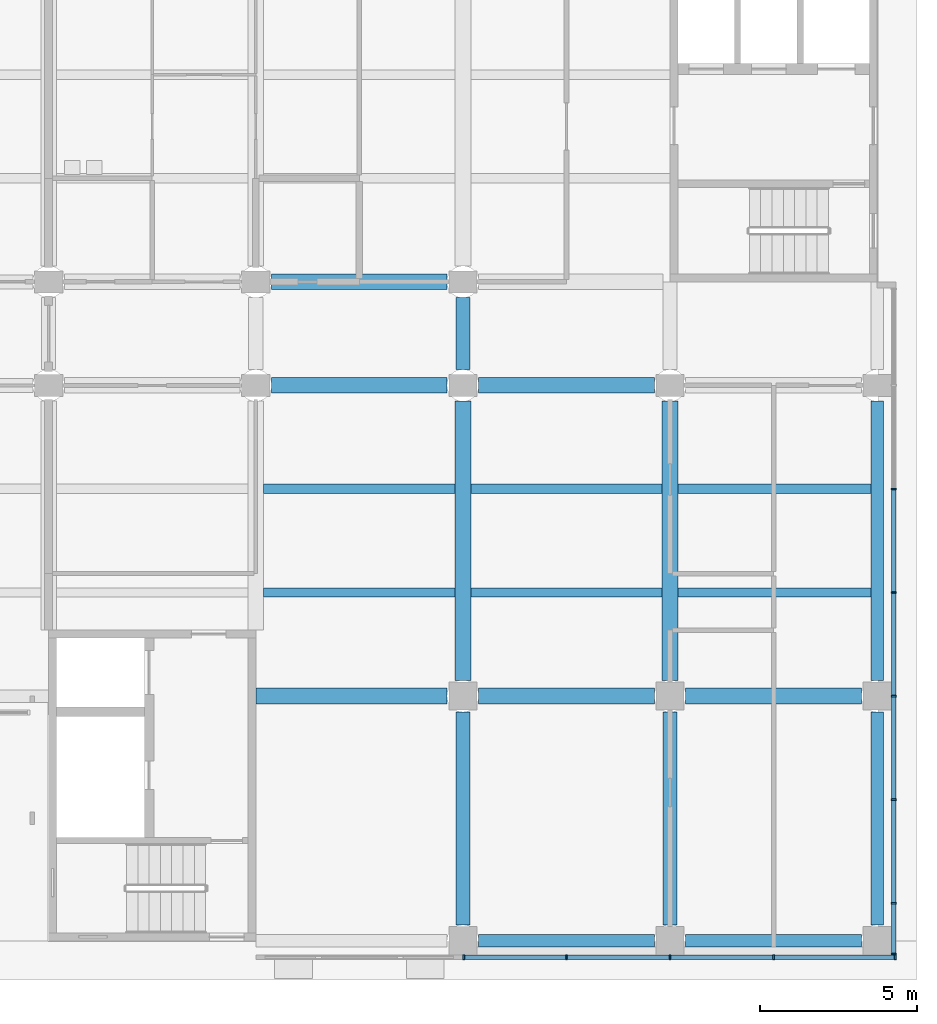
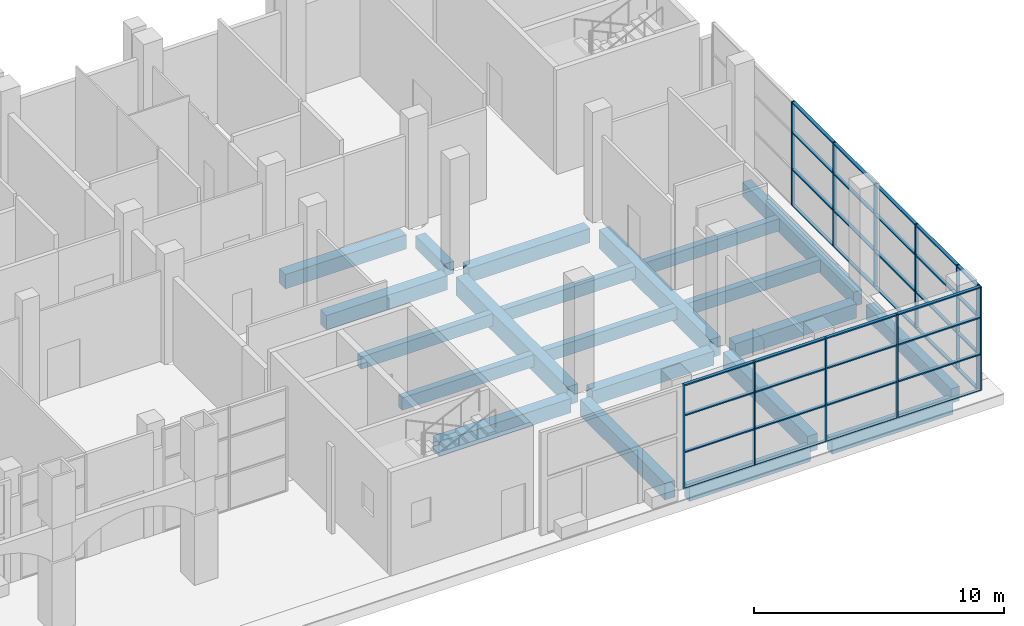
# One storey, part 10 of 85: 47 members, 21 beams, 2 elements without a shape of their own.
"""IFC4 building model written with IfcOpenShell, lengths in metres."""

import ifcopenshell
import ifcopenshell.guid

model = None  # the IFC model being written
_history = None  # IfcOwnerHistory: only IFC2X3 demands one
_inside = {}  # id of a spatial element -> (the spatial element, [elements in it])
_under = {}  # id of a project, library or spatial element -> (it, [spatial elements below it])
_declared = {}  # id of a project -> (the project, [libraries it declares])
_typed = {}  # id of a type object -> (the type object, [elements of that type])
_made_of = {}  # id of a material, layer set ... -> (it, [elements and type objects made of it])


def new_model(schema):
    """Start an empty IFC model of exactly this schema.

    Asked for "IFC4X3", IfcOpenShell would pick the latest addendum, in which some entities
    have other attributes; the version numbers below select the first issue.
    IFC2X3 requires an IfcOwnerHistory on every rooted entity: one is made here for all.
    """
    global model, _history
    if schema == "IFC4X3":
        model = ifcopenshell.file(schema_version=(4, 3, 0, 0))
    else:
        model = ifcopenshell.file(schema=schema)
    _inside.clear()
    _under.clear()
    _declared.clear()
    _typed.clear()
    _made_of.clear()
    _history = None
    if model.schema == "IFC2X3":
        org = make("IfcOrganization", Name="unknown")
        user = make(
            "IfcPersonAndOrganization",
            ThePerson=make("IfcPerson", FamilyName="unknown"),
            TheOrganization=org,
        )
        app = make(
            "IfcApplication",
            ApplicationDeveloper=org,
            Version="unknown",
            ApplicationFullName="unknown",
            ApplicationIdentifier="unknown",
        )
        _history = make(
            "IfcOwnerHistory",
            OwningUser=user,
            OwningApplication=app,
            ChangeAction="ADDED",
            CreationDate=0,
        )
    return model


def make(cls, **values):
    """One entity of the class cls with the attributes given. An attribute that is None is left unset."""
    return model.create_entity(
        cls, **{name: value for name, value in values.items() if value is not None}
    )


def rooted(cls, **values):
    """An entity with a GlobalId (a new one), such as an element, a storey or a relation."""
    return make(cls, GlobalId=ifcopenshell.guid.new(), OwnerHistory=_history, **values)


def si_unit(unit_type, name, prefix=None):
    """IfcSIUnit, for example si_unit("LENGTHUNIT", "METRE", prefix="MILLI")."""
    return make("IfcSIUnit", UnitType=unit_type, Prefix=prefix, Name=name)


def assignment(units):
    """IfcUnitAssignment: the units of a project."""
    return None if units is None else make("IfcUnitAssignment", Units=units)


def point(xyz):
    """IfcCartesianPoint."""
    return None if xyz is None else make("IfcCartesianPoint", Coordinates=xyz)


def direction(xyz):
    """IfcDirection."""
    return None if xyz is None else make("IfcDirection", DirectionRatios=xyz)


def frame(location, z_axis=None, x_axis=None):
    """IfcAxis2Placement3D, a coordinate frame: its origin and axes. An axis left out is left unset."""
    return make(
        "IfcAxis2Placement3D",
        Location=point(location),
        Axis=direction(z_axis),
        RefDirection=direction(x_axis),
    )


def frame_2d(location, x_axis=None):
    """IfcAxis2Placement2D, a coordinate frame in the plane: its origin and x axis."""
    return make(
        "IfcAxis2Placement2D", Location=point(location), RefDirection=direction(x_axis)
    )


def origin():
    """The frame at (0, 0, 0) with its axes left unset."""
    return frame((0.0, 0.0, 0.0))


def origin_2d():
    """The frame at (0, 0) in the plane with its x axis left unset."""
    return frame_2d((0.0, 0.0))


def place(relative_to, where):
    """IfcLocalPlacement: puts the frame where relative to a parent placement (None: the world)."""
    return make(
        "IfcLocalPlacement", PlacementRelTo=relative_to, RelativePlacement=where
    )


def context(
    kind, dimensions, precision=None, world=None, true_north=None, identifier=None
):
    """IfcGeometricRepresentationContext, for example the 3D "Model" context."""
    return make(
        "IfcGeometricRepresentationContext",
        ContextIdentifier=identifier,
        ContextType=kind,
        CoordinateSpaceDimension=dimensions,
        Precision=precision,
        WorldCoordinateSystem=world,
        TrueNorth=true_north,
    )


def subcontext(parent, identifier, kind, view, scale=None):
    """IfcGeometricRepresentationSubContext, for example "Body" below "Model"."""
    return make(
        "IfcGeometricRepresentationSubContext",
        ContextIdentifier=identifier,
        ContextType=kind,
        ParentContext=parent,
        TargetScale=scale,
        TargetView=view,
    )


def project(units=None, contexts=None):
    """IfcProject with its units and contexts."""
    return rooted(
        "IfcProject",
        Name="project",
        RepresentationContexts=contexts,
        UnitsInContext=assignment(units),
    )


def spatial(cls, under=None, at=None, **own):
    """A site, building, storey or space (cls), placed at a placement, below another one or the project."""
    s = rooted(cls, ObjectPlacement=at, **own)
    if under is not None:
        _under.setdefault(under.id(), (under, []))[1].append(s)
    return s


def profile(cls, at=None, kind="AREA", **sizes):
    """A parametric profile (cls). Its sizes go by their IFC names, for example OverallWidth=200.0."""
    return make(cls, ProfileType=kind, Position=at, **sizes)


def rectangle(**sizes):
    """IfcRectangleProfileDef."""
    return profile("IfcRectangleProfileDef", **sizes)


def extrude(swept, where, along, depth):
    """IfcExtrudedAreaSolid: the profile swept, set in the frame where, extruded along a direction by depth."""
    return make(
        "IfcExtrudedAreaSolid",
        SweptArea=swept,
        Position=where,
        ExtrudedDirection=direction(along),
        Depth=depth,
    )


def shape(context_of_items, identifier, shape_type, items):
    """IfcShapeRepresentation: the items that make up one representation, for example the "Body"."""
    return make(
        "IfcShapeRepresentation",
        ContextOfItems=context_of_items,
        RepresentationIdentifier=identifier,
        RepresentationType=shape_type,
        Items=items,
    )


def material(Name=None, Category=None):
    """IfcMaterial."""
    return make("IfcMaterial", Name=Name, Category=Category)


def material_profile(
    of_material, cross_section, Name=None, Category=None, Priority=None
):
    """IfcMaterialProfile: a cross section and its material."""
    return make(
        "IfcMaterialProfile",
        Name=Name,
        Material=of_material,
        Profile=cross_section,
        Priority=Priority,
        Category=Category,
    )


def profile_set(profiles, Name=None, composite=None):
    """IfcMaterialProfileSet."""
    return make(
        "IfcMaterialProfileSet",
        Name=Name,
        MaterialProfiles=profiles,
        CompositeProfile=composite,
    )


def made_of(thing, what):
    """Note that an element or type object is made of a material, layer set ...; save() writes the relation."""
    if what is not None:
        _made_of.setdefault(what.id(), (what, []))[1].append(thing)
    return thing


def type_object(cls, material=None, **own):
    """A type object (cls), such as IfcWallType, which elements share."""
    return made_of(rooted(cls, **own), material)


def element(
    cls,
    number,
    at=None,
    inside=None,
    cuts=None,
    type_object=None,
    material=None,
    context=None,
    identifier="Body",
    shape_type=None,
    held_by="IfcProductDefinitionShape",
    body=None,
    shapes=None,
    **own,
):
    """One element of the class cls, such as IfcWall. Its Tag is "e" and its number.

    at: its placement. inside: the storey or other place that contains it. cuts: it is an
    opening in that element (IfcRelVoidsElement). A single representation is given by context,
    identifier, shape_type and body (its items); several are given by shapes. held_by: the class
    of the entity that holds the representations. save() writes the other relations.
    """
    e = rooted(cls, Tag="e%d" % number, ObjectPlacement=at, **own)
    if body is not None:
        shapes = [shape(context, identifier, shape_type, body)]
    if shapes is not None:
        e.Representation = make(held_by, Representations=shapes)
    if inside is not None:
        _inside.setdefault(inside.id(), (inside, []))[1].append(e)
    if cuts is not None:
        rooted(
            "IfcRelVoidsElement", RelatingBuildingElement=cuts, RelatedOpeningElement=e
        )
    if type_object is not None:
        _typed.setdefault(type_object.id(), (type_object, []))[1].append(e)
    return made_of(e, material)


def aggregate(whole, parts):
    """IfcRelAggregates: a whole, such as a stair, and the parts it consists of."""
    return rooted("IfcRelAggregates", RelatingObject=whole, RelatedObjects=parts)


def save(model, path):
    """Write the relations noted so far, then the file.

    IfcRelAggregates (storeys below a building ...), IfcRelContainedInSpatialStructure (elements
    in a storey), IfcRelDefinesByType, IfcRelAssociatesMaterial and IfcRelDeclares: one each for
    every whole, place, type object, material and project.
    """
    for whole, parts in _under.values():
        aggregate(whole, parts)
    for where, things in _inside.values():
        rooted(
            "IfcRelContainedInSpatialStructure",
            RelatedElements=things,
            RelatingStructure=where,
        )
    for kind, things in _typed.values():
        rooted("IfcRelDefinesByType", RelatedObjects=things, RelatingType=kind)
    for what, things in _made_of.values():
        rooted("IfcRelAssociatesMaterial", RelatedObjects=things, RelatingMaterial=what)
    for by, libraries in _declared.values():
        rooted("IfcRelDeclares", RelatingContext=by, RelatedDefinitions=libraries)
    model.write(path)


model = new_model("IFC4")

# Units and contexts
model_context = context("Model", 3, precision=1e-05, world=origin(), true_north=direction((0.0, 1.0)))
body_context = subcontext(model_context, "Body", "Model", "MODEL_VIEW")
ifc_project = project(units=[si_unit("LENGTHUNIT", "METRE"), si_unit("AREAUNIT", "SQUARE_METRE"), si_unit("VOLUMEUNIT", "CUBIC_METRE"), si_unit("PLANEANGLEUNIT", "RADIAN"), si_unit("MASSUNIT", "GRAM", prefix="KILO")], contexts=[model_context])

# Site, building, storey
site_placement = place(None, origin())
site = spatial("IfcSite", under=ifc_project, at=site_placement, CompositionType="ELEMENT")
building_placement = place(site_placement, origin())
building = spatial("IfcBuilding", under=site, at=building_placement, Name="Lantern Court Research Institute", CompositionType="ELEMENT")
storey_placement = place(building_placement, origin())
storey = spatial("IfcBuildingStorey", under=building, at=storey_placement, Name="L00", CompositionType="ELEMENT", Elevation=0.0)

# Curtain wall, members
ifc_material_1 = material(Name="Aluminium alloy 6063-T6", Category="aluminium")
curtain_wall_type_1 = type_object("IfcCurtainWallType", Name="Curtain wall 21250 x 5100 x 150 aluminium frame", PredefinedType="NOTDEFINED", material=ifc_material_1)
curtain_wall_1_placement = place(storey_placement, origin())
curtain_wall_1 = element("IfcCurtainWall", 1, at=curtain_wall_1_placement, inside=storey, type_object=curtain_wall_type_1, Name="Curtain wall CW014", PredefinedType="NOTDEFINED")
ifc_material_2 = material(Name="Aluminium alloy 6063-T6", Category="aluminium")
ifc_material_profile_1 = material_profile(ifc_material_2, rectangle(XDim=0.14990234375, YDim=0.06005859375, at=origin_2d()), Name="Mullion 150 x 60")
ifc_profile_set_1 = profile_set([ifc_material_profile_1], Name="Aluminium alloy 6063-T6")
member_type_1 = type_object("IfcMemberType", Name="Mullion 150 x 60 aluminium", PredefinedType="MULLION", material=ifc_profile_set_1)
member_1_placement = place(storey_placement, frame((79.72509765625, -8.219970703125, 0.0), z_axis=(0.0, 0.0, 1.0), x_axis=(1.0, 0.0, 0.0)))
member_1 = element("IfcMember", 2, at=member_1_placement, type_object=member_type_1, Name="CW014 mullion 1", PredefinedType="MULLION", context=body_context, shape_type="SweptSolid", body=[
    extrude(rectangle(XDim=0.14990234375, YDim=0.06005859375, at=origin_2d()), origin(), (0.0, 0.0, 1.0), 5.10009765625),
])
member_2_placement = place(storey_placement, frame((79.72509765625, -6.60009765625, 0.0), z_axis=(0.0, 0.0, 1.0), x_axis=(1.0, 0.0, 0.0)))
member_2 = element("IfcMember", 3, at=member_2_placement, type_object=member_type_1, Name="CW014 mullion 2", PredefinedType="MULLION", context=body_context, shape_type="SweptSolid", body=[
    extrude(rectangle(XDim=0.14990234375, YDim=0.06005859375, at=origin_2d()), origin(), (0.0, 0.0, 1.0), 5.10009765625),
])
member_3_placement = place(storey_placement, frame((79.72509765625, -3.300048828125, 0.0), z_axis=(0.0, 0.0, 1.0), x_axis=(1.0, 0.0, 0.0)))
member_3 = element("IfcMember", 4, at=member_3_placement, type_object=member_type_1, Name="CW014 mullion 3", PredefinedType="MULLION", context=body_context, shape_type="SweptSolid", body=[
    extrude(rectangle(XDim=0.14990234375, YDim=0.06005859375, at=origin_2d()), origin(), (0.0, 0.0, 1.0), 5.10009765625),
])
member_4_placement = place(storey_placement, frame((79.72509765625, 0.0, 0.0), z_axis=(0.0, 0.0, 1.0), x_axis=(1.0, 0.0, 0.0)))
member_4 = element("IfcMember", 5, at=member_4_placement, type_object=member_type_1, Name="CW014 mullion 4", PredefinedType="MULLION", context=body_context, shape_type="SweptSolid", body=[
    extrude(rectangle(XDim=0.14990234375, YDim=0.06005859375, at=origin_2d()), origin(), (0.0, 0.0, 1.0), 5.10009765625),
])
member_5_placement = place(storey_placement, frame((79.72509765625, 3.300048828125, 0.0), z_axis=(0.0, 0.0, 1.0), x_axis=(1.0, 0.0, 0.0)))
member_5 = element("IfcMember", 6, at=member_5_placement, type_object=member_type_1, Name="CW014 mullion 5", PredefinedType="MULLION", context=body_context, shape_type="SweptSolid", body=[
    extrude(rectangle(XDim=0.14990234375, YDim=0.06005859375, at=origin_2d()), origin(), (0.0, 0.0, 1.0), 5.10009765625),
])
member_6_placement = place(storey_placement, frame((79.72509765625, 6.60009765625, 0.0), z_axis=(0.0, 0.0, 1.0), x_axis=(1.0, 0.0, 0.0)))
member_6 = element("IfcMember", 7, at=member_6_placement, type_object=member_type_1, Name="CW014 mullion 6", PredefinedType="MULLION", context=body_context, shape_type="SweptSolid", body=[
    extrude(rectangle(XDim=0.14990234375, YDim=0.06005859375, at=origin_2d()), origin(), (0.0, 0.0, 1.0), 5.10009765625),
])

ifc_material_3 = material(Name="Aluminium alloy 6063-T6", Category="aluminium")
curtain_wall_type_2 = type_object("IfcCurtainWallType", Name="Curtain wall 13800 x 5100 x 150 aluminium frame", PredefinedType="NOTDEFINED", material=ifc_material_3)
curtain_wall_2_placement = place(storey_placement, origin())
curtain_wall_2 = element("IfcCurtainWall", 8, at=curtain_wall_2_placement, inside=storey, type_object=curtain_wall_type_2, Name="Curtain wall CW015", PredefinedType="NOTDEFINED")
member_7_placement = place(storey_placement, frame((66.030029296875, -8.324951171875, 0.0), z_axis=(0.0, 0.0, 1.0), x_axis=(0.0, -1.0, 0.0)))
member_7 = element("IfcMember", 9, at=member_7_placement, type_object=member_type_1, Name="CW015 mullion 1", PredefinedType="MULLION", context=body_context, shape_type="SweptSolid", body=[
    extrude(rectangle(XDim=0.14990234375, YDim=0.06005859375, at=origin_2d()), origin(), (0.0, 0.0, 1.0), 5.10009765625),
])
member_8_placement = place(storey_placement, frame((69.300048828125, -8.324951171875, 0.0), z_axis=(0.0, 0.0, 1.0), x_axis=(0.0, -1.0, 0.0)))
member_8 = element("IfcMember", 10, at=member_8_placement, type_object=member_type_1, Name="CW015 mullion 2", PredefinedType="MULLION", context=body_context, shape_type="SweptSolid", body=[
    extrude(rectangle(XDim=0.14990234375, YDim=0.06005859375, at=origin_2d()), origin(), (0.0, 0.0, 1.0), 5.10009765625),
])
member_9_placement = place(storey_placement, frame((72.60009765625, -8.324951171875, 0.0), z_axis=(0.0, 0.0, 1.0), x_axis=(0.0, -1.0, 0.0)))
member_9 = element("IfcMember", 11, at=member_9_placement, type_object=member_type_1, Name="CW015 mullion 3", PredefinedType="MULLION", context=body_context, shape_type="SweptSolid", body=[
    extrude(rectangle(XDim=0.14990234375, YDim=0.06005859375, at=origin_2d()), origin(), (0.0, 0.0, 1.0), 5.10009765625),
])
member_10_placement = place(storey_placement, frame((75.89990234375, -8.324951171875, 0.0), z_axis=(0.0, 0.0, 1.0), x_axis=(0.0, -1.0, 0.0)))
member_10 = element("IfcMember", 12, at=member_10_placement, type_object=member_type_1, Name="CW015 mullion 4", PredefinedType="MULLION", context=body_context, shape_type="SweptSolid", body=[
    extrude(rectangle(XDim=0.14990234375, YDim=0.06005859375, at=origin_2d()), origin(), (0.0, 0.0, 1.0), 5.10009765625),
])
member_11_placement = place(storey_placement, frame((79.77001953125, -8.324951171875, 0.0), z_axis=(0.0, 0.0, 1.0), x_axis=(0.0, -1.0, 0.0)))
member_11 = element("IfcMember", 13, at=member_11_placement, type_object=member_type_1, Name="CW015 mullion 5", PredefinedType="MULLION", context=body_context, shape_type="SweptSolid", body=[
    extrude(rectangle(XDim=0.14990234375, YDim=0.06005859375, at=origin_2d()), origin(), (0.0, 0.0, 1.0), 5.10009765625),
])

# Beams
ifc_material_4 = material(Name="Concrete C40/50", Category="concrete")
ifc_material_profile_2 = material_profile(ifc_material_4, rectangle(XDim=0.5, YDim=0.699951171875, at=origin_2d()), Name="RC beam 500 x 700")
ifc_profile_set_2 = profile_set([ifc_material_profile_2], Name="Concrete C40/50")
beam_type_1 = type_object("IfcBeamType", Name="RC beam 500 x 700", PredefinedType="BEAM", material=ifc_profile_set_2)
beam_1_placement = place(storey_placement, frame((59.39990234375, 0.0, -0.64990234375), z_axis=(1.0, 0.0, 0.0), x_axis=(0.0, 1.0, 0.0)))
element("IfcBeam", 14, at=beam_1_placement, inside=storey, type_object=beam_type_1, Name="Beam L00 grid A/10-11", PredefinedType="BEAM", context=body_context, shape_type="SweptSolid", body=[
    extrude(rectangle(XDim=0.5, YDim=0.699951171875, at=origin_2d()), origin(), (0.0, 0.0, 1.0), 6.10009765625),
])
beam_2_placement = place(storey_placement, frame((66.5, 0.0, -0.64990234375), z_axis=(1.0, 0.0, 0.0), x_axis=(0.0, 1.0, 0.0)))
element("IfcBeam", 15, at=beam_2_placement, inside=storey, type_object=beam_type_1, Name="Beam L00 grid A/11-12", PredefinedType="BEAM", context=body_context, shape_type="SweptSolid", body=[
    extrude(rectangle(XDim=0.5, YDim=0.699951171875, at=origin_2d()), origin(), (0.0, 0.0, 1.0), 5.60009765625),
])
beam_3_placement = place(storey_placement, frame((73.10009765625, 0.0, -0.64990234375), z_axis=(1.0, 0.0, 0.0), x_axis=(0.0, 1.0, 0.0)))
element("IfcBeam", 16, at=beam_3_placement, inside=storey, type_object=beam_type_1, Name="Beam L00 grid A/12-13", PredefinedType="BEAM", context=body_context, shape_type="SweptSolid", body=[
    extrude(rectangle(XDim=0.5, YDim=0.699951171875, at=origin_2d()), origin(), (0.0, 0.0, 1.0), 5.599853515625),
])
for number, where, z_axis, x_axis, name in (
    (17, (59.89990234375, 9.89990234375, -0.64990234375), (1.0, 0.0, 0.0), (0.0, 1.0, 0.0), "Beam L00 grid B/10-11"),
    (18, (66.5, 9.89990234375, -0.64990234375), (1.0, 0.0, 0.0), (0.0, 1.0, 0.0), "Beam L00 grid B/11-12"),
    (19, (59.89990234375, 13.199951171875, -0.64990234375), (1.0, 0.0, 0.0), (0.0, 1.0, 0.0), "Beam L00 grid C/10-11"),
):
    element("IfcBeam", number, at=place(storey_placement, frame(where, z_axis=z_axis, x_axis=x_axis)), inside=storey, type_object=beam_type_1, Name=name, PredefinedType="BEAM", context=body_context, shape_type="SweptSolid", body=[
        extrude(rectangle(XDim=0.5, YDim=0.699951171875, at=origin_2d()), origin(), (0.0, 0.0, 1.0), 5.60009765625),
    ])
ifc_material_5 = material(Name="Concrete C40/50", Category="concrete")
ifc_material_profile_3 = material_profile(ifc_material_5, rectangle(XDim=0.39990234375, YDim=0.699951171875, at=origin_2d()), Name="RC beam 400 x 700")
ifc_profile_set_3 = profile_set([ifc_material_profile_3], Name="Concrete C40/50")
beam_type_2 = type_object("IfcBeamType", Name="RC edge beam 400 x 700", PredefinedType="BEAM", material=ifc_profile_set_3)
beam_4_placement = place(storey_placement, frame((79.199951171875, -7.300048828125, -0.64990234375), z_axis=(0.0, 1.0, 0.0), x_axis=(-1.0, 0.0, 0.0)))
element("IfcBeam", 20, at=beam_4_placement, inside=storey, type_object=beam_type_2, Name="Edge beam L00 grid 13/Z-A", PredefinedType="BEAM", context=body_context, shape_type="SweptSolid", body=[
    extrude(rectangle(XDim=0.39990234375, YDim=0.699951171875, at=origin_2d()), origin(), (0.0, 0.0, 1.0), 6.800048828125),
])
beam_5_placement = place(storey_placement, frame((79.199951171875, 0.5, -0.64990234375), z_axis=(0.0, 1.0, 0.0), x_axis=(-1.0, 0.0, 0.0)))
element("IfcBeam", 21, at=beam_5_placement, inside=storey, type_object=beam_type_2, Name="Edge beam L00 grid 13/A-B", PredefinedType="BEAM", context=body_context, shape_type="SweptSolid", body=[
    extrude(rectangle(XDim=0.39990234375, YDim=0.699951171875, at=origin_2d()), origin(), (0.0, 0.0, 1.0), 8.89990234375),
])
beam_6_placement = place(storey_placement, frame((66.5, -7.800048828125, -0.64990234375), z_axis=(1.0, 0.0, 0.0), x_axis=(0.0, 1.0, 0.0)))
element("IfcBeam", 22, at=beam_6_placement, inside=storey, type_object=beam_type_2, Name="Edge beam L00 grid Z/11-12", PredefinedType="BEAM", context=body_context, shape_type="SweptSolid", body=[
    extrude(rectangle(XDim=0.39990234375, YDim=0.699951171875, at=origin_2d()), origin(), (0.0, 0.0, 1.0), 5.60009765625),
])
beam_7_placement = place(storey_placement, frame((73.10009765625, -7.800048828125, -0.64990234375), z_axis=(1.0, 0.0, 0.0), x_axis=(0.0, 1.0, 0.0)))
element("IfcBeam", 23, at=beam_7_placement, inside=storey, type_object=beam_type_2, Name="Edge beam L00 grid Z/12-13", PredefinedType="BEAM", context=body_context, shape_type="SweptSolid", body=[
    extrude(rectangle(XDim=0.39990234375, YDim=0.699951171875, at=origin_2d()), origin(), (0.0, 0.0, 1.0), 5.599853515625),
])
ifc_material_6 = material(Name="Concrete C40/50", Category="concrete")
ifc_material_profile_4 = material_profile(ifc_material_6, rectangle(XDim=0.449951171875, YDim=0.800048828125, at=origin_2d()), Name="RC beam 450 x 800")
ifc_profile_set_4 = profile_set([ifc_material_profile_4], Name="Concrete C40/50")
beam_type_3 = type_object("IfcBeamType", Name="RC girder 450 x 800", PredefinedType="BEAM", material=ifc_profile_set_4)
for number, where, z_axis, x_axis, name in (
    (24, (66.0, -7.300048828125, -0.699951171875), (0.0, 1.0, 0.0), (-1.0, 0.0, 0.0), "Girder L00 grid 11/Z-A"),
    (25, (72.60009765625, -7.300048828125, -0.699951171875), (0.0, 1.0, 0.0), (-1.0, 0.0, 0.0), "Girder L00 grid 12/Z-A"),
):
    element("IfcBeam", number, at=place(storey_placement, frame(where, z_axis=z_axis, x_axis=x_axis)), inside=storey, type_object=beam_type_3, Name=name, PredefinedType="BEAM", context=body_context, shape_type="SweptSolid", body=[
        extrude(rectangle(XDim=0.449951171875, YDim=0.800048828125, at=origin_2d()), origin(), (0.0, 0.0, 1.0), 6.800048828125),
    ])
ifc_material_7 = material(Name="Concrete C40/50", Category="concrete")
ifc_material_profile_5 = material_profile(ifc_material_7, rectangle(XDim=0.5, YDim=0.89990234375, at=origin_2d()), Name="RC beam 500 x 900")
ifc_profile_set_5 = profile_set([ifc_material_profile_5], Name="Concrete C40/50")
beam_type_4 = type_object("IfcBeamType", Name="RC girder 500 x 900", PredefinedType="BEAM", material=ifc_profile_set_5)
for number, where, z_axis, x_axis, name in (
    (26, (66.0, 0.5, -0.75), (0.0, 1.0, 0.0), (-1.0, 0.0, 0.0), "Girder L00 grid 11/A-B"),
    (27, (72.60009765625, 0.5, -0.75), (0.0, 1.0, 0.0), (-1.0, 0.0, 0.0), "Girder L00 grid 12/A-B"),
):
    element("IfcBeam", number, at=place(storey_placement, frame(where, z_axis=z_axis, x_axis=x_axis)), inside=storey, type_object=beam_type_4, Name=name, PredefinedType="BEAM", context=body_context, shape_type="SweptSolid", body=[
        extrude(rectangle(XDim=0.5, YDim=0.89990234375, at=origin_2d()), origin(), (0.0, 0.0, 1.0), 8.89990234375),
    ])
ifc_material_8 = material(Name="Concrete C40/50", Category="concrete")
ifc_material_profile_6 = material_profile(ifc_material_8, rectangle(XDim=0.300048828125, YDim=0.60009765625, at=origin_2d()), Name="RC beam 300 x 600")
ifc_profile_set_6 = profile_set([ifc_material_profile_6], Name="Concrete C40/50")
beam_type_5 = type_object("IfcBeamType", Name="RC secondary beam 300 x 600", PredefinedType="BEAM", material=ifc_profile_set_6)
for number, where, z_axis, x_axis, name in (
    (28, (59.64990234375, 3.300048828125, -0.60009765625), (1.0, 0.0, 0.0), (0.0, 1.0, 0.0), "Secondary beam L00 grids 10-11 / A-B, line 1"),
    (29, (66.25, 3.300048828125, -0.60009765625), (1.0, 0.0, 0.0), (0.0, 1.0, 0.0), "Secondary beam L00 grids 11-12 / A-B, line 1"),
):
    element("IfcBeam", number, at=place(storey_placement, frame(where, z_axis=z_axis, x_axis=x_axis)), inside=storey, type_object=beam_type_5, Name=name, PredefinedType="BEAM", context=body_context, shape_type="SweptSolid", body=[
        extrude(rectangle(XDim=0.300048828125, YDim=0.60009765625, at=origin_2d()), origin(), (0.0, 0.0, 1.0), 6.10009765625),
    ])
beam_8_placement = place(storey_placement, frame((72.85009765625, 3.300048828125, -0.60009765625), z_axis=(1.0, 0.0, 0.0), x_axis=(0.0, 1.0, 0.0)))
element("IfcBeam", 30, at=beam_8_placement, inside=storey, type_object=beam_type_5, Name="Secondary beam L00 grids 12-13 / A-B, line 1", PredefinedType="BEAM", context=body_context, shape_type="SweptSolid", body=[
    extrude(rectangle(XDim=0.300048828125, YDim=0.60009765625, at=origin_2d()), origin(), (0.0, 0.0, 1.0), 6.14990234375),
])
for number, where, z_axis, x_axis, name in (
    (31, (59.64990234375, 6.60009765625, -0.60009765625), (1.0, 0.0, 0.0), (0.0, 1.0, 0.0), "Secondary beam L00 grids 10-11 / A-B, line 2"),
    (32, (66.25, 6.60009765625, -0.60009765625), (1.0, 0.0, 0.0), (0.0, 1.0, 0.0), "Secondary beam L00 grids 11-12 / A-B, line 2"),
):
    element("IfcBeam", number, at=place(storey_placement, frame(where, z_axis=z_axis, x_axis=x_axis)), inside=storey, type_object=beam_type_5, Name=name, PredefinedType="BEAM", context=body_context, shape_type="SweptSolid", body=[
        extrude(rectangle(XDim=0.300048828125, YDim=0.60009765625, at=origin_2d()), origin(), (0.0, 0.0, 1.0), 6.10009765625),
    ])
beam_9_placement = place(storey_placement, frame((72.85009765625, 6.60009765625, -0.60009765625), z_axis=(1.0, 0.0, 0.0), x_axis=(0.0, 1.0, 0.0)))
element("IfcBeam", 33, at=beam_9_placement, inside=storey, type_object=beam_type_5, Name="Secondary beam L00 grids 12-13 / A-B, line 2", PredefinedType="BEAM", context=body_context, shape_type="SweptSolid", body=[
    extrude(rectangle(XDim=0.300048828125, YDim=0.60009765625, at=origin_2d()), origin(), (0.0, 0.0, 1.0), 6.14990234375),
])
ifc_material_9 = material(Name="Concrete C40/50", Category="concrete")
ifc_material_profile_7 = material_profile(ifc_material_9, rectangle(XDim=0.449951171875, YDim=0.60009765625, at=origin_2d()), Name="RC beam 450 x 600")
ifc_profile_set_7 = profile_set([ifc_material_profile_7], Name="Concrete C40/50")
beam_type_6 = type_object("IfcBeamType", Name="RC spine beam 450 x 600", PredefinedType="BEAM", material=ifc_profile_set_7)
beam_10_placement = place(storey_placement, frame((66.0, 10.39990234375, -0.60009765625), z_axis=(0.0, 1.0, 0.0), x_axis=(-1.0, 0.0, 0.0)))
element("IfcBeam", 34, at=beam_10_placement, inside=storey, type_object=beam_type_6, Name="Beam L00 grid 11/B-C", PredefinedType="BEAM", context=body_context, shape_type="SweptSolid", body=[
    extrude(rectangle(XDim=0.449951171875, YDim=0.60009765625, at=origin_2d()), origin(), (0.0, 0.0, 1.0), 2.300048828125),
])

# Member
ifc_material_10 = material(Name="Aluminium alloy 6063-T6", Category="aluminium")
ifc_material_profile_8 = material_profile(ifc_material_10, rectangle(XDim=0.14990234375, YDim=0.06005859375, at=origin_2d()), Name="Transom 150 x 60")
ifc_profile_set_8 = profile_set([ifc_material_profile_8], Name="Aluminium alloy 6063-T6")
member_type_2 = type_object("IfcMemberType", Name="Transom 150 x 60 aluminium", PredefinedType="USERDEFINED", material=ifc_profile_set_8)
member_12_placement = place(storey_placement, frame((79.72509765625, -6.6298828125, 0.030029296875), z_axis=(0.0, -1.0, 0.0), x_axis=(1.0, 0.0, 0.0)))
member_12 = element("IfcMember", 35, at=member_12_placement, type_object=member_type_2, Name="CW014 transom 1.1", ObjectType="TRANSOM", PredefinedType="USERDEFINED", context=body_context, shape_type="SweptSolid", body=[
    extrude(rectangle(XDim=0.14990234375, YDim=0.06005859375, at=origin_2d()), origin(), (0.0, 0.0, 1.0), 1.56005859375),
])

member_13_placement = place(storey_placement, frame((79.72509765625, -6.6298828125, 1.800048828125), z_axis=(0.0, -1.0, 0.0), x_axis=(1.0, 0.0, 0.0)))
member_13 = element("IfcMember", 36, at=member_13_placement, type_object=member_type_2, Name="CW014 transom 1.2", ObjectType="TRANSOM", PredefinedType="USERDEFINED", context=body_context, shape_type="SweptSolid", body=[
    extrude(rectangle(XDim=0.14990234375, YDim=0.06005859375, at=origin_2d()), origin(), (0.0, 0.0, 1.0), 1.56005859375),
])

member_14_placement = place(storey_placement, frame((79.72509765625, -6.6298828125, 3.60009765625), z_axis=(0.0, -1.0, 0.0), x_axis=(1.0, 0.0, 0.0)))
member_14 = element("IfcMember", 37, at=member_14_placement, type_object=member_type_2, Name="CW014 transom 1.3", ObjectType="TRANSOM", PredefinedType="USERDEFINED", context=body_context, shape_type="SweptSolid", body=[
    extrude(rectangle(XDim=0.14990234375, YDim=0.06005859375, at=origin_2d()), origin(), (0.0, 0.0, 1.0), 1.56005859375),
])

member_15_placement = place(storey_placement, frame((79.72509765625, -6.6298828125, 5.070068359375), z_axis=(0.0, -1.0, 0.0), x_axis=(1.0, 0.0, 0.0)))
member_15 = element("IfcMember", 38, at=member_15_placement, type_object=member_type_2, Name="CW014 transom 1.4", ObjectType="TRANSOM", PredefinedType="USERDEFINED", context=body_context, shape_type="SweptSolid", body=[
    extrude(rectangle(XDim=0.14990234375, YDim=0.06005859375, at=origin_2d()), origin(), (0.0, 0.0, 1.0), 1.56005859375),
])

member_16_placement = place(storey_placement, frame((79.72509765625, -3.330078125, 0.030029296875), z_axis=(0.0, -1.0, 0.0), x_axis=(1.0, 0.0, 0.0)))
member_16 = element("IfcMember", 39, at=member_16_placement, type_object=member_type_2, Name="CW014 transom 2.1", ObjectType="TRANSOM", PredefinedType="USERDEFINED", context=body_context, shape_type="SweptSolid", body=[
    extrude(rectangle(XDim=0.14990234375, YDim=0.06005859375, at=origin_2d()), origin(), (0.0, 0.0, 1.0), 3.239990234375),
])

member_17_placement = place(storey_placement, frame((79.72509765625, -3.330078125, 1.800048828125), z_axis=(0.0, -1.0, 0.0), x_axis=(1.0, 0.0, 0.0)))
member_17 = element("IfcMember", 40, at=member_17_placement, type_object=member_type_2, Name="CW014 transom 2.2", ObjectType="TRANSOM", PredefinedType="USERDEFINED", context=body_context, shape_type="SweptSolid", body=[
    extrude(rectangle(XDim=0.14990234375, YDim=0.06005859375, at=origin_2d()), origin(), (0.0, 0.0, 1.0), 3.239990234375),
])

member_18_placement = place(storey_placement, frame((79.72509765625, -3.330078125, 3.60009765625), z_axis=(0.0, -1.0, 0.0), x_axis=(1.0, 0.0, 0.0)))
member_18 = element("IfcMember", 41, at=member_18_placement, type_object=member_type_2, Name="CW014 transom 2.3", ObjectType="TRANSOM", PredefinedType="USERDEFINED", context=body_context, shape_type="SweptSolid", body=[
    extrude(rectangle(XDim=0.14990234375, YDim=0.06005859375, at=origin_2d()), origin(), (0.0, 0.0, 1.0), 3.239990234375),
])

member_19_placement = place(storey_placement, frame((79.72509765625, -3.330078125, 5.070068359375), z_axis=(0.0, -1.0, 0.0), x_axis=(1.0, 0.0, 0.0)))
member_19 = element("IfcMember", 42, at=member_19_placement, type_object=member_type_2, Name="CW014 transom 2.4", ObjectType="TRANSOM", PredefinedType="USERDEFINED", context=body_context, shape_type="SweptSolid", body=[
    extrude(rectangle(XDim=0.14990234375, YDim=0.06005859375, at=origin_2d()), origin(), (0.0, 0.0, 1.0), 3.239990234375),
])

member_20_placement = place(storey_placement, frame((79.72509765625, -0.030029296875, 0.030029296875), z_axis=(0.0, -1.0, 0.0), x_axis=(1.0, 0.0, 0.0)))
member_20 = element("IfcMember", 43, at=member_20_placement, type_object=member_type_2, Name="CW014 transom 3.1", ObjectType="TRANSOM", PredefinedType="USERDEFINED", context=body_context, shape_type="SweptSolid", body=[
    extrude(rectangle(XDim=0.14990234375, YDim=0.06005859375, at=origin_2d()), origin(), (0.0, 0.0, 1.0), 3.239990234375),
])

member_21_placement = place(storey_placement, frame((79.72509765625, -0.030029296875, 1.800048828125), z_axis=(0.0, -1.0, 0.0), x_axis=(1.0, 0.0, 0.0)))
member_21 = element("IfcMember", 44, at=member_21_placement, type_object=member_type_2, Name="CW014 transom 3.2", ObjectType="TRANSOM", PredefinedType="USERDEFINED", context=body_context, shape_type="SweptSolid", body=[
    extrude(rectangle(XDim=0.14990234375, YDim=0.06005859375, at=origin_2d()), origin(), (0.0, 0.0, 1.0), 3.239990234375),
])

member_22_placement = place(storey_placement, frame((79.72509765625, -0.030029296875, 3.60009765625), z_axis=(0.0, -1.0, 0.0), x_axis=(1.0, 0.0, 0.0)))
member_22 = element("IfcMember", 45, at=member_22_placement, type_object=member_type_2, Name="CW014 transom 3.3", ObjectType="TRANSOM", PredefinedType="USERDEFINED", context=body_context, shape_type="SweptSolid", body=[
    extrude(rectangle(XDim=0.14990234375, YDim=0.06005859375, at=origin_2d()), origin(), (0.0, 0.0, 1.0), 3.239990234375),
])

member_23_placement = place(storey_placement, frame((79.72509765625, -0.030029296875, 5.070068359375), z_axis=(0.0, -1.0, 0.0), x_axis=(1.0, 0.0, 0.0)))
member_23 = element("IfcMember", 46, at=member_23_placement, type_object=member_type_2, Name="CW014 transom 3.4", ObjectType="TRANSOM", PredefinedType="USERDEFINED", context=body_context, shape_type="SweptSolid", body=[
    extrude(rectangle(XDim=0.14990234375, YDim=0.06005859375, at=origin_2d()), origin(), (0.0, 0.0, 1.0), 3.239990234375),
])

member_24_placement = place(storey_placement, frame((79.72509765625, 3.27001953125, 0.030029296875), z_axis=(0.0, -1.0, 0.0), x_axis=(1.0, 0.0, 0.0)))
member_24 = element("IfcMember", 47, at=member_24_placement, type_object=member_type_2, Name="CW014 transom 4.1", ObjectType="TRANSOM", PredefinedType="USERDEFINED", context=body_context, shape_type="SweptSolid", body=[
    extrude(rectangle(XDim=0.14990234375, YDim=0.06005859375, at=origin_2d()), origin(), (0.0, 0.0, 1.0), 3.239990234375),
])

member_25_placement = place(storey_placement, frame((79.72509765625, 3.27001953125, 1.800048828125), z_axis=(0.0, -1.0, 0.0), x_axis=(1.0, 0.0, 0.0)))
member_25 = element("IfcMember", 48, at=member_25_placement, type_object=member_type_2, Name="CW014 transom 4.2", ObjectType="TRANSOM", PredefinedType="USERDEFINED", context=body_context, shape_type="SweptSolid", body=[
    extrude(rectangle(XDim=0.14990234375, YDim=0.06005859375, at=origin_2d()), origin(), (0.0, 0.0, 1.0), 3.239990234375),
])

member_26_placement = place(storey_placement, frame((79.72509765625, 3.27001953125, 3.60009765625), z_axis=(0.0, -1.0, 0.0), x_axis=(1.0, 0.0, 0.0)))
member_26 = element("IfcMember", 49, at=member_26_placement, type_object=member_type_2, Name="CW014 transom 4.3", ObjectType="TRANSOM", PredefinedType="USERDEFINED", context=body_context, shape_type="SweptSolid", body=[
    extrude(rectangle(XDim=0.14990234375, YDim=0.06005859375, at=origin_2d()), origin(), (0.0, 0.0, 1.0), 3.239990234375),
])

member_27_placement = place(storey_placement, frame((79.72509765625, 3.27001953125, 5.070068359375), z_axis=(0.0, -1.0, 0.0), x_axis=(1.0, 0.0, 0.0)))
member_27 = element("IfcMember", 50, at=member_27_placement, type_object=member_type_2, Name="CW014 transom 4.4", ObjectType="TRANSOM", PredefinedType="USERDEFINED", context=body_context, shape_type="SweptSolid", body=[
    extrude(rectangle(XDim=0.14990234375, YDim=0.06005859375, at=origin_2d()), origin(), (0.0, 0.0, 1.0), 3.239990234375),
])

member_28_placement = place(storey_placement, frame((79.72509765625, 6.570068359375, 0.030029296875), z_axis=(0.0, -1.0, 0.0), x_axis=(1.0, 0.0, 0.0)))
member_28 = element("IfcMember", 51, at=member_28_placement, type_object=member_type_2, Name="CW014 transom 5.1", ObjectType="TRANSOM", PredefinedType="USERDEFINED", context=body_context, shape_type="SweptSolid", body=[
    extrude(rectangle(XDim=0.14990234375, YDim=0.06005859375, at=origin_2d()), origin(), (0.0, 0.0, 1.0), 3.239990234375),
])

member_29_placement = place(storey_placement, frame((79.72509765625, 6.570068359375, 1.800048828125), z_axis=(0.0, -1.0, 0.0), x_axis=(1.0, 0.0, 0.0)))
member_29 = element("IfcMember", 52, at=member_29_placement, type_object=member_type_2, Name="CW014 transom 5.2", ObjectType="TRANSOM", PredefinedType="USERDEFINED", context=body_context, shape_type="SweptSolid", body=[
    extrude(rectangle(XDim=0.14990234375, YDim=0.06005859375, at=origin_2d()), origin(), (0.0, 0.0, 1.0), 3.239990234375),
])

member_30_placement = place(storey_placement, frame((79.72509765625, 6.570068359375, 3.60009765625), z_axis=(0.0, -1.0, 0.0), x_axis=(1.0, 0.0, 0.0)))
member_30 = element("IfcMember", 53, at=member_30_placement, type_object=member_type_2, Name="CW014 transom 5.3", ObjectType="TRANSOM", PredefinedType="USERDEFINED", context=body_context, shape_type="SweptSolid", body=[
    extrude(rectangle(XDim=0.14990234375, YDim=0.06005859375, at=origin_2d()), origin(), (0.0, 0.0, 1.0), 3.239990234375),
])

member_31_placement = place(storey_placement, frame((79.72509765625, 6.570068359375, 5.070068359375), z_axis=(0.0, -1.0, 0.0), x_axis=(1.0, 0.0, 0.0)))
member_31 = element("IfcMember", 54, at=member_31_placement, type_object=member_type_2, Name="CW014 transom 5.4", ObjectType="TRANSOM", PredefinedType="USERDEFINED", context=body_context, shape_type="SweptSolid", body=[
    extrude(rectangle(XDim=0.14990234375, YDim=0.06005859375, at=origin_2d()), origin(), (0.0, 0.0, 1.0), 3.239990234375),
])

aggregate(curtain_wall_1, [member_1, member_2, member_3, member_4, member_5, member_6, member_12, member_13, member_14, member_15, member_16, member_17, member_18, member_19, member_20, member_21, member_22, member_23, member_24, member_25, member_26, member_27, member_28, member_29, member_30, member_31])

member_32_placement = place(storey_placement, frame((69.27001953125, -8.324951171875, 0.030029296875), z_axis=(-1.0, 0.0, 0.0), x_axis=(0.0, -1.0, 0.0)))
member_32 = element("IfcMember", 55, at=member_32_placement, type_object=member_type_2, Name="CW015 transom 1.1", ObjectType="TRANSOM", PredefinedType="USERDEFINED", context=body_context, shape_type="SweptSolid", body=[
    extrude(rectangle(XDim=0.14990234375, YDim=0.06005859375, at=origin_2d()), origin(), (0.0, 0.0, 1.0), 3.2099609375),
])

member_33_placement = place(storey_placement, frame((69.27001953125, -8.324951171875, 1.800048828125), z_axis=(-1.0, 0.0, 0.0), x_axis=(0.0, -1.0, 0.0)))
member_33 = element("IfcMember", 56, at=member_33_placement, type_object=member_type_2, Name="CW015 transom 1.2", ObjectType="TRANSOM", PredefinedType="USERDEFINED", context=body_context, shape_type="SweptSolid", body=[
    extrude(rectangle(XDim=0.14990234375, YDim=0.06005859375, at=origin_2d()), origin(), (0.0, 0.0, 1.0), 3.2099609375),
])

member_34_placement = place(storey_placement, frame((69.27001953125, -8.324951171875, 3.60009765625), z_axis=(-1.0, 0.0, 0.0), x_axis=(0.0, -1.0, 0.0)))
member_34 = element("IfcMember", 57, at=member_34_placement, type_object=member_type_2, Name="CW015 transom 1.3", ObjectType="TRANSOM", PredefinedType="USERDEFINED", context=body_context, shape_type="SweptSolid", body=[
    extrude(rectangle(XDim=0.14990234375, YDim=0.06005859375, at=origin_2d()), origin(), (0.0, 0.0, 1.0), 3.2099609375),
])

member_35_placement = place(storey_placement, frame((69.27001953125, -8.324951171875, 5.070068359375), z_axis=(-1.0, 0.0, 0.0), x_axis=(0.0, -1.0, 0.0)))
member_35 = element("IfcMember", 58, at=member_35_placement, type_object=member_type_2, Name="CW015 transom 1.4", ObjectType="TRANSOM", PredefinedType="USERDEFINED", context=body_context, shape_type="SweptSolid", body=[
    extrude(rectangle(XDim=0.14990234375, YDim=0.06005859375, at=origin_2d()), origin(), (0.0, 0.0, 1.0), 3.2099609375),
])

member_36_placement = place(storey_placement, frame((72.570068359375, -8.324951171875, 0.030029296875), z_axis=(-1.0, 0.0, 0.0), x_axis=(0.0, -1.0, 0.0)))
member_36 = element("IfcMember", 59, at=member_36_placement, type_object=member_type_2, Name="CW015 transom 2.1", ObjectType="TRANSOM", PredefinedType="USERDEFINED", context=body_context, shape_type="SweptSolid", body=[
    extrude(rectangle(XDim=0.14990234375, YDim=0.06005859375, at=origin_2d()), origin(), (0.0, 0.0, 1.0), 3.239990234375),
])

member_37_placement = place(storey_placement, frame((72.570068359375, -8.324951171875, 1.800048828125), z_axis=(-1.0, 0.0, 0.0), x_axis=(0.0, -1.0, 0.0)))
member_37 = element("IfcMember", 60, at=member_37_placement, type_object=member_type_2, Name="CW015 transom 2.2", ObjectType="TRANSOM", PredefinedType="USERDEFINED", context=body_context, shape_type="SweptSolid", body=[
    extrude(rectangle(XDim=0.14990234375, YDim=0.06005859375, at=origin_2d()), origin(), (0.0, 0.0, 1.0), 3.239990234375),
])

member_38_placement = place(storey_placement, frame((72.570068359375, -8.324951171875, 3.60009765625), z_axis=(-1.0, 0.0, 0.0), x_axis=(0.0, -1.0, 0.0)))
member_38 = element("IfcMember", 61, at=member_38_placement, type_object=member_type_2, Name="CW015 transom 2.3", ObjectType="TRANSOM", PredefinedType="USERDEFINED", context=body_context, shape_type="SweptSolid", body=[
    extrude(rectangle(XDim=0.14990234375, YDim=0.06005859375, at=origin_2d()), origin(), (0.0, 0.0, 1.0), 3.239990234375),
])

member_39_placement = place(storey_placement, frame((72.570068359375, -8.324951171875, 5.070068359375), z_axis=(-1.0, 0.0, 0.0), x_axis=(0.0, -1.0, 0.0)))
member_39 = element("IfcMember", 62, at=member_39_placement, type_object=member_type_2, Name="CW015 transom 2.4", ObjectType="TRANSOM", PredefinedType="USERDEFINED", context=body_context, shape_type="SweptSolid", body=[
    extrude(rectangle(XDim=0.14990234375, YDim=0.06005859375, at=origin_2d()), origin(), (0.0, 0.0, 1.0), 3.239990234375),
])

member_40_placement = place(storey_placement, frame((75.8701171875, -8.324951171875, 0.030029296875), z_axis=(-1.0, 0.0, 0.0), x_axis=(0.0, -1.0, 0.0)))
member_40 = element("IfcMember", 63, at=member_40_placement, type_object=member_type_2, Name="CW015 transom 3.1", ObjectType="TRANSOM", PredefinedType="USERDEFINED", context=body_context, shape_type="SweptSolid", body=[
    extrude(rectangle(XDim=0.14990234375, YDim=0.06005859375, at=origin_2d()), origin(), (0.0, 0.0, 1.0), 3.240234375),
])

member_41_placement = place(storey_placement, frame((75.8701171875, -8.324951171875, 1.800048828125), z_axis=(-1.0, 0.0, 0.0), x_axis=(0.0, -1.0, 0.0)))
member_41 = element("IfcMember", 64, at=member_41_placement, type_object=member_type_2, Name="CW015 transom 3.2", ObjectType="TRANSOM", PredefinedType="USERDEFINED", context=body_context, shape_type="SweptSolid", body=[
    extrude(rectangle(XDim=0.14990234375, YDim=0.06005859375, at=origin_2d()), origin(), (0.0, 0.0, 1.0), 3.240234375),
])

member_42_placement = place(storey_placement, frame((75.8701171875, -8.324951171875, 3.60009765625), z_axis=(-1.0, 0.0, 0.0), x_axis=(0.0, -1.0, 0.0)))
member_42 = element("IfcMember", 65, at=member_42_placement, type_object=member_type_2, Name="CW015 transom 3.3", ObjectType="TRANSOM", PredefinedType="USERDEFINED", context=body_context, shape_type="SweptSolid", body=[
    extrude(rectangle(XDim=0.14990234375, YDim=0.06005859375, at=origin_2d()), origin(), (0.0, 0.0, 1.0), 3.240234375),
])

member_43_placement = place(storey_placement, frame((75.8701171875, -8.324951171875, 5.070068359375), z_axis=(-1.0, 0.0, 0.0), x_axis=(0.0, -1.0, 0.0)))
member_43 = element("IfcMember", 66, at=member_43_placement, type_object=member_type_2, Name="CW015 transom 3.4", ObjectType="TRANSOM", PredefinedType="USERDEFINED", context=body_context, shape_type="SweptSolid", body=[
    extrude(rectangle(XDim=0.14990234375, YDim=0.06005859375, at=origin_2d()), origin(), (0.0, 0.0, 1.0), 3.240234375),
])

member_44_placement = place(storey_placement, frame((79.739990234375, -8.324951171875, 0.030029296875), z_axis=(-1.0, 0.0, 0.0), x_axis=(0.0, -1.0, 0.0)))
member_44 = element("IfcMember", 67, at=member_44_placement, type_object=member_type_2, Name="CW015 transom 4.1", ObjectType="TRANSOM", PredefinedType="USERDEFINED", context=body_context, shape_type="SweptSolid", body=[
    extrude(rectangle(XDim=0.14990234375, YDim=0.06005859375, at=origin_2d()), origin(), (0.0, 0.0, 1.0), 3.81005859375),
])

member_45_placement = place(storey_placement, frame((79.739990234375, -8.324951171875, 1.800048828125), z_axis=(-1.0, 0.0, 0.0), x_axis=(0.0, -1.0, 0.0)))
member_45 = element("IfcMember", 68, at=member_45_placement, type_object=member_type_2, Name="CW015 transom 4.2", ObjectType="TRANSOM", PredefinedType="USERDEFINED", context=body_context, shape_type="SweptSolid", body=[
    extrude(rectangle(XDim=0.14990234375, YDim=0.06005859375, at=origin_2d()), origin(), (0.0, 0.0, 1.0), 3.81005859375),
])

member_46_placement = place(storey_placement, frame((79.739990234375, -8.324951171875, 3.60009765625), z_axis=(-1.0, 0.0, 0.0), x_axis=(0.0, -1.0, 0.0)))
member_46 = element("IfcMember", 69, at=member_46_placement, type_object=member_type_2, Name="CW015 transom 4.3", ObjectType="TRANSOM", PredefinedType="USERDEFINED", context=body_context, shape_type="SweptSolid", body=[
    extrude(rectangle(XDim=0.14990234375, YDim=0.06005859375, at=origin_2d()), origin(), (0.0, 0.0, 1.0), 3.81005859375),
])

member_47_placement = place(storey_placement, frame((79.739990234375, -8.324951171875, 5.070068359375), z_axis=(-1.0, 0.0, 0.0), x_axis=(0.0, -1.0, 0.0)))
member_47 = element("IfcMember", 70, at=member_47_placement, type_object=member_type_2, Name="CW015 transom 4.4", ObjectType="TRANSOM", PredefinedType="USERDEFINED", context=body_context, shape_type="SweptSolid", body=[
    extrude(rectangle(XDim=0.14990234375, YDim=0.06005859375, at=origin_2d()), origin(), (0.0, 0.0, 1.0), 3.81005859375),
])

aggregate(curtain_wall_2, [member_7, member_8, member_9, member_10, member_11, member_32, member_33, member_34, member_35, member_36, member_37, member_38, member_39, member_40, member_41, member_42, member_43, member_44, member_45, member_46, member_47])

save(model, "model.ifc")
